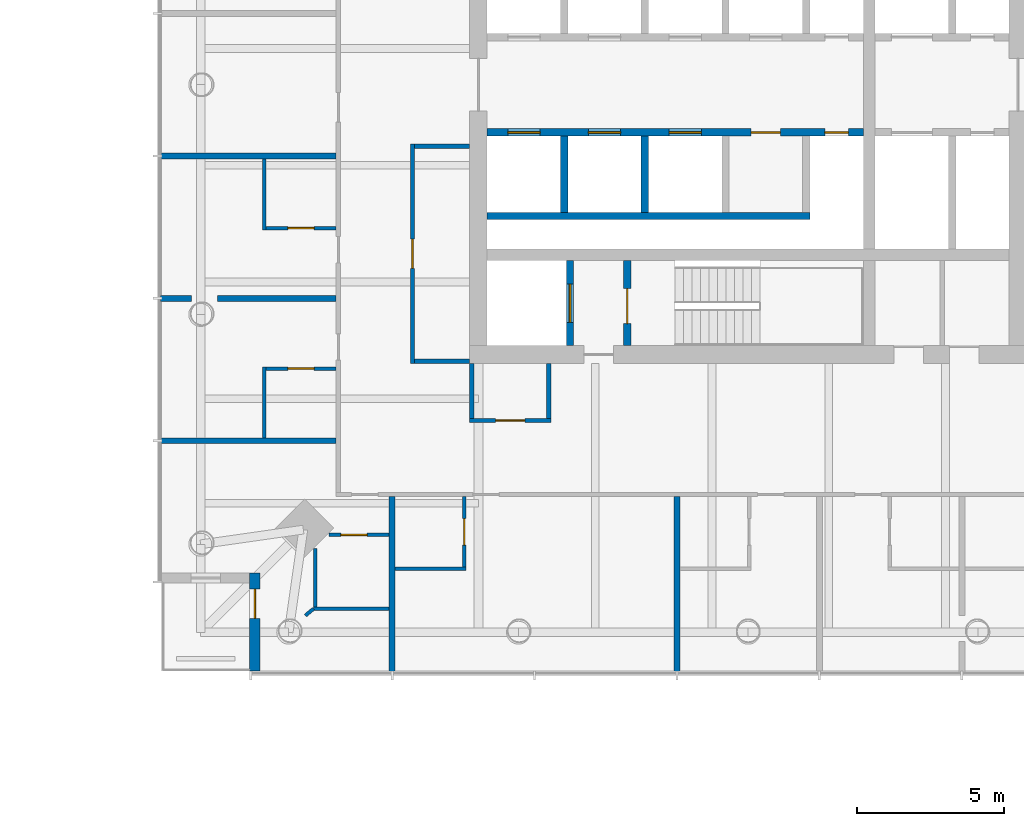
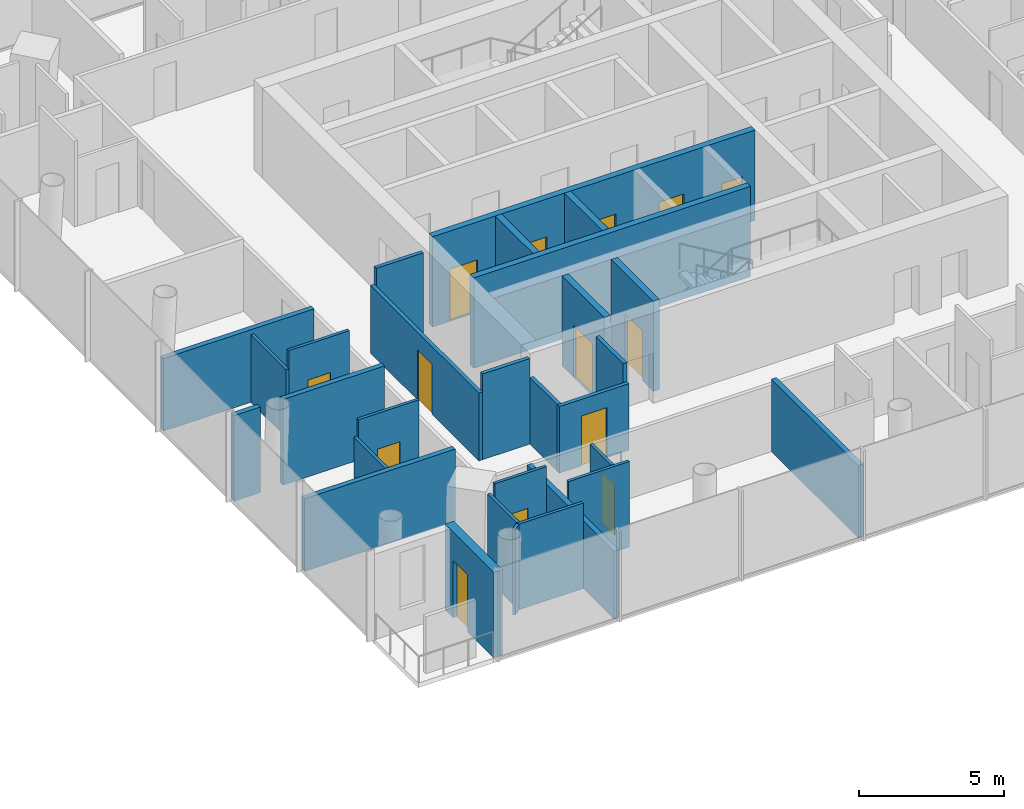
# One storey, part 13 of 20: 29 walls, 14 doors, 14 openings.
"""IFC4 building model written with IfcOpenShell, lengths in metres."""

from ifc_helpers import new_model, si_unit, direction, frame, frame_2d, origin, place, context, subcontext, project, spatial, rectangle, extrude, material, layer, layer_set, type_object, element, fill, save


model = new_model("IFC4")

# Units and contexts
model_context = context("Model", 3, precision=1e-05, world=origin(), true_north=direction((0.0, 1.0)))
body_context = subcontext(model_context, "Body", "Model", "MODEL_VIEW")
ifc_project = project(units=[si_unit("LENGTHUNIT", "METRE"), si_unit("AREAUNIT", "SQUARE_METRE"), si_unit("VOLUMEUNIT", "CUBIC_METRE"), si_unit("PLANEANGLEUNIT", "RADIAN"), si_unit("MASSUNIT", "GRAM", prefix="KILO")], contexts=[model_context])

# Site, building, storey
site_placement = place(None, origin())
site = spatial("IfcSite", under=ifc_project, at=site_placement, CompositionType="ELEMENT")
building_placement = place(site_placement, origin())
building = spatial("IfcBuilding", under=site, at=building_placement, Name="Ostroluk Exchange", CompositionType="ELEMENT")
storey_placement = place(building_placement, frame((0.0, 0.0, 28.60009765625)))
storey = spatial("IfcBuildingStorey", under=building, at=storey_placement, Name="L06", CompositionType="ELEMENT", Elevation=28.60009765625)

# Wall, opening, door
ifc_material_1 = material(Name="Concrete C40/50", Category="concrete")
ifc_layer_1 = layer(ifc_material_1, 0.25)
ifc_layer_set_1 = layer_set([ifc_layer_1], Name="Core shaft wall 250")
wall_type_1 = type_object("IfcWallType", Name="Core shaft wall 250", PredefinedType="SHEAR", material=ifc_layer_set_1)
wall_1_placement = place(storey_placement, frame((110.925048828125, 37.10009765625, 0.0), z_axis=(0.0, 0.0, 1.0), x_axis=(0.0, 1.0, 0.0)))
wall_1 = element("IfcWall", 1, at=wall_1_placement, inside=storey, type_object=wall_type_1, Name="Firefighting lift shaft wall", PredefinedType="SHEAR", context=body_context, shape_type="SweptSolid", body=[
    extrude(rectangle(XDim=2.89990234375, YDim=0.25, at=frame_2d((1.449951171875, 0.0))), origin(), (0.0, 0.0, 1.0), 3.7998046875),
])
opening_1_placement = place(wall_1_placement, frame((0.800048828125, 0.0, 0.0)))
opening_1 = element("IfcOpeningElement", 2, at=opening_1_placement, cuts=wall_1, Name="Opening LD2", PredefinedType="OPENING", context=body_context, shape_type="SweptSolid", body=[
    extrude(rectangle(XDim=1.300048828125, YDim=2.199951171875, at=frame_2d((0.64990234375, 1.10009765625))), frame((0.0, 0.135009765625, 0.0), z_axis=(0.0, -1.0, 0.0), x_axis=(1.0, 0.0, 0.0)), (0.0, 0.0, 1.0), 0.27001953125),
])
ifc_material_2 = material(Name="Stainless steel", Category="steel")
door_type_1 = type_object("IfcDoorType", Name="Lift landing door E 60 1300 x 2200", OperationType="DOUBLE_DOOR_SLIDING", PredefinedType="DOOR", material=ifc_material_2)
door_1_placement = place(opening_1_placement, origin())
door_1 = element("IfcDoor", 3, at=door_1_placement, inside=storey, type_object=door_type_1, Name="Lift HF1 landing door", OperationType="DOUBLE_DOOR_SLIDING", OverallHeight=2.199951171875, OverallWidth=1.300048828125, PredefinedType="DOOR", context=body_context, shape_type="SweptSolid", body=[
    extrude(rectangle(XDim=1.300048828125, YDim=2.199951171875, at=frame_2d((0.64990234375, 1.10009765625))), frame((0.0, 0.02490234375, 0.0), z_axis=(0.0, -1.0, 0.0), x_axis=(1.0, 0.0, 0.0)), (0.0, 0.0, 1.0), 0.050048828125),
])
fill(opening_1, door_1)

wall_2_placement = place(storey_placement, frame((112.875, 37.10009765625, 0.0), z_axis=(0.0, 0.0, 1.0), x_axis=(0.0, 1.0, 0.0)))
wall_2 = element("IfcWall", 4, at=wall_2_placement, inside=storey, type_object=wall_type_1, Name="Stair shaft wall", PredefinedType="SHEAR", context=body_context, shape_type="SweptSolid", body=[
    extrude(rectangle(XDim=2.89990234375, YDim=0.25, at=frame_2d((1.449951171875, 0.0))), origin(), (0.0, 0.0, 1.0), 3.7998046875),
])
opening_2_placement = place(wall_2_placement, frame((0.75, 0.0, 0.0)))
opening_2 = element("IfcOpeningElement", 5, at=opening_2_placement, cuts=wall_2, Name="Opening FD60S", PredefinedType="OPENING", context=body_context, shape_type="SweptSolid", body=[
    extrude(rectangle(XDim=1.199951171875, YDim=2.10009765625, at=frame_2d((0.60009765625, 1.050048828125))), frame((0.0, 0.135009765625, 0.0), z_axis=(0.0, -1.0, 0.0), x_axis=(1.0, 0.0, 0.0)), (0.0, 0.0, 1.0), 0.27001953125),
])
ifc_material_3 = material(Name="Steel", Category="steel")
door_type_2 = type_object("IfcDoorType", Name="Stair door EI 60 1200 x 2100", OperationType="SINGLE_SWING_LEFT", PredefinedType="DOOR", material=ifc_material_3)
door_2_placement = place(opening_2_placement, origin())
door_2 = element("IfcDoor", 6, at=door_2_placement, inside=storey, type_object=door_type_2, Name="Stair T2-S1 door", OperationType="SINGLE_SWING_LEFT", OverallHeight=2.10009765625, OverallWidth=1.199951171875, PredefinedType="DOOR", context=body_context, shape_type="SweptSolid", body=[
    extrude(rectangle(XDim=1.199951171875, YDim=2.10009765625, at=frame_2d((0.60009765625, 1.050048828125))), frame((0.0, 0.02490234375, 0.0), z_axis=(0.0, -1.0, 0.0), x_axis=(1.0, 0.0, 0.0)), (0.0, 0.0, 1.0), 0.050048828125),
])
fill(opening_2, door_2)

# Walls
for number, where, z_axis, x_axis, name in (
    (7, (110.72509765625, 44.25, 0.0), (0.0, 0.0, 1.0), (0.0, -1.0, 0.0), "Lift shaft wall"),
    (8, (113.47509765625, 44.25, 0.0), (0.0, 0.0, 1.0), (0.0, -1.0, 0.0), "Lift shaft wall"),
):
    element("IfcWall", number, at=place(storey_placement, frame(where, z_axis=z_axis, x_axis=x_axis)), inside=storey, type_object=wall_type_1, Name=name, PredefinedType="SHEAR", context=body_context, shape_type="SweptSolid", body=[
        extrude(rectangle(XDim=2.60009765625, YDim=0.25, at=frame_2d((1.300048828125, 0.0))), origin(), (0.0, 0.0, 1.0), 3.7998046875),
    ])
wall_3_placement = place(storey_placement, frame((108.10009765625, 41.52490234375, 0.0), z_axis=(0.0, 0.0, 1.0), x_axis=(1.0, 0.0, 0.0)))
element("IfcWall", 9, at=wall_3_placement, inside=storey, type_object=wall_type_1, Name="Lift shaft wall", PredefinedType="SHEAR", context=body_context, shape_type="SweptSolid", body=[
    extrude(rectangle(XDim=11.0, YDim=0.25, at=frame_2d((5.5, 0.0))), origin(), (0.0, 0.0, 1.0), 3.7998046875),
])

# Wall, openings, doors
wall_4_placement = place(storey_placement, frame((108.10009765625, 44.375, 0.0), z_axis=(0.0, 0.0, 1.0), x_axis=(1.0, 0.0, 0.0)))
wall_4 = element("IfcWall", 10, at=wall_4_placement, inside=storey, type_object=wall_type_1, Name="Lift shaft front wall", PredefinedType="SHEAR", context=body_context, shape_type="SweptSolid", body=[
    extrude(rectangle(XDim=12.829833984375, YDim=0.25, at=frame_2d((6.4150390625, 0.0))), origin(), (0.0, 0.0, 1.0), 3.7998046875),
])
opening_3_placement = place(wall_4_placement, frame((0.699951171875, 0.0, 0.0)))
opening_3 = element("IfcOpeningElement", 11, at=opening_3_placement, cuts=wall_4, Name="Opening LD", PredefinedType="OPENING", context=body_context, shape_type="SweptSolid", body=[
    extrude(rectangle(XDim=1.10009765625, YDim=2.199951171875, at=frame_2d((0.550048828125, 1.10009765625))), frame((0.0, 0.135009765625, 0.0), z_axis=(0.0, -1.0, 0.0), x_axis=(1.0, 0.0, 0.0)), (0.0, 0.0, 1.0), 0.27001953125),
])
opening_4_placement = place(wall_4_placement, frame((3.449951171875, 0.0, 0.0)))
opening_4 = element("IfcOpeningElement", 12, at=opening_4_placement, cuts=wall_4, Name="Opening LD", PredefinedType="OPENING", context=body_context, shape_type="SweptSolid", body=[
    extrude(rectangle(XDim=1.10009765625, YDim=2.199951171875, at=frame_2d((0.550048828125, 1.10009765625))), frame((0.0, 0.135009765625, 0.0), z_axis=(0.0, -1.0, 0.0), x_axis=(1.0, 0.0, 0.0)), (0.0, 0.0, 1.0), 0.27001953125),
])
opening_5_placement = place(wall_4_placement, frame((6.199951171875, 0.0, 0.0)))
opening_5 = element("IfcOpeningElement", 13, at=opening_5_placement, cuts=wall_4, Name="Opening LD", PredefinedType="OPENING", context=body_context, shape_type="SweptSolid", body=[
    extrude(rectangle(XDim=1.10009765625, YDim=2.199951171875, at=frame_2d((0.550048828125, 1.10009765625))), frame((0.0, 0.135009765625, 0.0), z_axis=(0.0, -1.0, 0.0), x_axis=(1.0, 0.0, 0.0)), (0.0, 0.0, 1.0), 0.27001953125),
])
opening_6_placement = place(wall_4_placement, frame((9.0, 0.0, 0.0)))
opening_6 = element("IfcOpeningElement", 14, at=opening_6_placement, cuts=wall_4, Name="Opening FD60", PredefinedType="OPENING", context=body_context, shape_type="SweptSolid", body=[
    extrude(rectangle(XDim=1.0, YDim=2.10009765625, at=frame_2d((0.5, 1.050048828125))), frame((0.0, 0.135009765625, 0.0), z_axis=(0.0, -1.0, 0.0), x_axis=(1.0, 0.0, 0.0)), (0.0, 0.0, 1.0), 0.27001953125),
])
opening_7_placement = place(wall_4_placement, frame((11.514892578125, 0.0, 0.0)))
opening_7 = element("IfcOpeningElement", 15, at=opening_7_placement, cuts=wall_4, Name="Opening RD60", PredefinedType="OPENING", context=body_context, shape_type="SweptSolid", body=[
    extrude(rectangle(XDim=0.800048828125, YDim=2.0, at=frame_2d((0.39990234375, 1.0))), frame((0.0, 0.135009765625, 0.0), z_axis=(0.0, -1.0, 0.0), x_axis=(1.0, 0.0, 0.0)), (0.0, 0.0, 1.0), 0.27001953125),
])
ifc_material_4 = material(Name="Steel", Category="steel")
door_type_3 = type_object("IfcDoorType", Name="Fire door EI 60 1000 x 2100", OperationType="SINGLE_SWING_LEFT", PredefinedType="DOOR", material=ifc_material_4)
door_3_placement = place(opening_6_placement, origin())
door_3 = element("IfcDoor", 16, at=door_3_placement, inside=storey, type_object=door_type_3, Name="Core room door", OperationType="SINGLE_SWING_RIGHT", OverallHeight=2.10009765625, OverallWidth=1.0, PredefinedType="DOOR", context=body_context, shape_type="SweptSolid", body=[
    extrude(rectangle(XDim=1.0, YDim=2.10009765625, at=frame_2d((0.5, 1.050048828125))), frame((0.0, 0.02490234375, 0.0), z_axis=(0.0, -1.0, 0.0), x_axis=(1.0, 0.0, 0.0)), (0.0, 0.0, 1.0), 0.050048828125),
])
fill(opening_6, door_3)
ifc_material_5 = material(Name="Stainless steel", Category="steel")
door_type_4 = type_object("IfcDoorType", Name="Lift landing door E 60 1100 x 2200", OperationType="DOUBLE_DOOR_SLIDING", PredefinedType="DOOR", material=ifc_material_5)
door_4_placement = place(opening_3_placement, origin())
door_4 = element("IfcDoor", 17, at=door_4_placement, inside=storey, type_object=door_type_4, Name="Lift HL5 landing door", OperationType="DOUBLE_DOOR_SLIDING", OverallHeight=2.199951171875, OverallWidth=1.10009765625, PredefinedType="DOOR", context=body_context, shape_type="SweptSolid", body=[
    extrude(rectangle(XDim=1.10009765625, YDim=2.199951171875, at=frame_2d((0.550048828125, 1.10009765625))), frame((0.0, 0.02490234375, 0.0), z_axis=(0.0, -1.0, 0.0), x_axis=(1.0, 0.0, 0.0)), (0.0, 0.0, 1.0), 0.050048828125),
])
fill(opening_3, door_4)
door_5_placement = place(opening_4_placement, origin())
door_5 = element("IfcDoor", 18, at=door_5_placement, inside=storey, type_object=door_type_4, Name="Lift HL6 landing door", OperationType="DOUBLE_DOOR_SLIDING", OverallHeight=2.199951171875, OverallWidth=1.10009765625, PredefinedType="DOOR", context=body_context, shape_type="SweptSolid", body=[
    extrude(rectangle(XDim=1.10009765625, YDim=2.199951171875, at=frame_2d((0.550048828125, 1.10009765625))), frame((0.0, 0.02490234375, 0.0), z_axis=(0.0, -1.0, 0.0), x_axis=(1.0, 0.0, 0.0)), (0.0, 0.0, 1.0), 0.050048828125),
])
fill(opening_4, door_5)
door_6_placement = place(opening_5_placement, origin())
door_6 = element("IfcDoor", 19, at=door_6_placement, inside=storey, type_object=door_type_4, Name="Lift HL7 landing door", OperationType="DOUBLE_DOOR_SLIDING", OverallHeight=2.199951171875, OverallWidth=1.10009765625, PredefinedType="DOOR", context=body_context, shape_type="SweptSolid", body=[
    extrude(rectangle(XDim=1.10009765625, YDim=2.199951171875, at=frame_2d((0.550048828125, 1.10009765625))), frame((0.0, 0.02490234375, 0.0), z_axis=(0.0, -1.0, 0.0), x_axis=(1.0, 0.0, 0.0)), (0.0, 0.0, 1.0), 0.050048828125),
])
fill(opening_5, door_6)
ifc_material_6 = material(Name="Steel", Category="steel")
door_type_5 = type_object("IfcDoorType", Name="Riser access door EI 60 800 x 2000", OperationType="SINGLE_SWING_LEFT", PredefinedType="DOOR", material=ifc_material_6)
door_7_placement = place(opening_7_placement, origin())
door_7 = element("IfcDoor", 20, at=door_7_placement, inside=storey, type_object=door_type_5, Name="Riser access door", OperationType="SINGLE_SWING_RIGHT", OverallHeight=2.0, OverallWidth=0.800048828125, PredefinedType="DOOR", context=body_context, shape_type="SweptSolid", body=[
    extrude(rectangle(XDim=0.800048828125, YDim=2.0, at=frame_2d((0.39990234375, 1.0))), frame((0.0, 0.02490234375, 0.0), z_axis=(0.0, -1.0, 0.0), x_axis=(1.0, 0.0, 0.0)), (0.0, 0.0, 1.0), 0.050048828125),
])
fill(opening_7, door_7)

# Wall, opening, door
ifc_material_7 = material(Name="Limestone", Category="masonry")
ifc_layer_2 = layer(ifc_material_7, 0.35009765625)
ifc_layer_set_2 = layer_set([ifc_layer_2], Name="Limestone facade wall 350")
wall_type_2 = type_object("IfcWallType", Name="Limestone facade wall 350", PredefinedType="SOLIDWALL", material=ifc_layer_set_2)
wall_5_placement = place(storey_placement, frame((100.175048828125, 26.0, 0.0), z_axis=(0.0, 0.0, 1.0), x_axis=(0.0, 1.0, 0.0)))
wall_5 = element("IfcWall", 21, at=wall_5_placement, inside=storey, type_object=wall_type_2, Name="Hotel tower SW corner wall L06 a", PredefinedType="SOLIDWALL", context=body_context, shape_type="SweptSolid", body=[
    extrude(rectangle(XDim=3.35009765625, YDim=0.35009765625, at=frame_2d((1.675048828125, 0.0))), origin(), (0.0, 0.0, 1.0), 3.599853515625),
])
opening_8_placement = place(wall_5_placement, frame((1.800048828125, 0.0, 0.0)))
opening_8 = element("IfcOpeningElement", 22, at=opening_8_placement, cuts=wall_5, Name="Opening D-B1", PredefinedType="OPENING", context=body_context, shape_type="SweptSolid", body=[
    extrude(rectangle(XDim=1.0, YDim=2.39990234375, at=frame_2d((0.5, 1.199951171875))), frame((0.0, 0.18505859375, 0.0), z_axis=(0.0, -1.0, 0.0), x_axis=(1.0, 0.0, 0.0)), (0.0, 0.0, 1.0), 0.3701171875),
])
ifc_material_8 = material(Name="Bronze framed glazed door", Category="aluminium")
door_type_6 = type_object("IfcDoorType", Name="Balcony door 1000 x 2400", OperationType="SINGLE_SWING_LEFT", PredefinedType="DOOR", material=ifc_material_8)
door_8_placement = place(opening_8_placement, origin())
door_8 = element("IfcDoor", 23, at=door_8_placement, inside=storey, type_object=door_type_6, Name="Hotel tower SW balcony door L06", OperationType="SINGLE_SWING_RIGHT", OverallHeight=2.39990234375, OverallWidth=1.0, PredefinedType="DOOR", context=body_context, shape_type="SweptSolid", body=[
    extrude(rectangle(XDim=1.0, YDim=2.39990234375, at=frame_2d((0.5, 1.199951171875))), frame((0.0, 0.02490234375, 0.0), z_axis=(0.0, -1.0, 0.0), x_axis=(1.0, 0.0, 0.0)), (0.0, 0.0, 1.0), 0.050048828125),
])
fill(opening_8, door_8)

# Wall
ifc_material_9 = material(Name="Gypsum plasterboard partition, moisture resistant", Category="gypsum")
ifc_layer_3 = layer(ifc_material_9, 0.1201171875)
ifc_layer_set_3 = layer_set([ifc_layer_3], Name="Plasterboard en-suite wall 120")
wall_type_3 = type_object("IfcWallType", Name="Plasterboard en-suite wall 120", PredefinedType="PARTITIONING", material=ifc_layer_set_3)
wall_6_placement = place(storey_placement, frame((100.489990234375, 43.471435546875, 0.0), z_axis=(0.0, 0.0, 1.0), x_axis=(0.0, -1.0, 0.0)))
element("IfcWall", 24, at=wall_6_placement, inside=storey, type_object=wall_type_3, Name="En-suite wall", PredefinedType="PARTITIONING", context=body_context, shape_type="SweptSolid", body=[
    extrude(rectangle(XDim=2.419921875, YDim=0.1201171875, at=frame_2d((1.2099609375, 0.0))), origin(), (0.0, 0.0, 1.0), 2.846923828125),
])

# Wall, opening, door
wall_7_placement = place(storey_placement, frame((102.949951171875, 41.111328125, 0.0), z_axis=(0.0, 0.0, 1.0), x_axis=(-1.0, 0.0, 0.0)))
wall_7 = element("IfcWall", 25, at=wall_7_placement, inside=storey, type_object=wall_type_3, Name="En-suite wall", PredefinedType="PARTITIONING", context=body_context, shape_type="SweptSolid", body=[
    extrude(rectangle(XDim=2.39990234375, YDim=0.1201171875, at=frame_2d((1.199951171875, 0.0))), origin(), (0.0, 0.0, 1.0), 3.599853515625),
])
opening_9_placement = place(wall_7_placement, frame((0.75, 0.0, 0.0)))
opening_9 = element("IfcOpeningElement", 26, at=opening_9_placement, cuts=wall_7, Name="Opening D-02", PredefinedType="OPENING", context=body_context, shape_type="SweptSolid", body=[
    extrude(rectangle(XDim=0.89990234375, YDim=2.10009765625, at=frame_2d((0.449951171875, 1.050048828125))), frame((0.0, 0.070068359375, 0.0), z_axis=(0.0, -1.0, 0.0), x_axis=(1.0, 0.0, 0.0)), (0.0, 0.0, 1.0), 0.14013671875),
])
ifc_material_10 = material(Name="Timber", Category="wood")
door_type_7 = type_object("IfcDoorType", Name="En-suite door 900 x 2100", OperationType="SINGLE_SWING_LEFT", PredefinedType="DOOR", material=ifc_material_10)
door_9_placement = place(opening_9_placement, origin())
door_9 = element("IfcDoor", 27, at=door_9_placement, inside=storey, type_object=door_type_7, Name="En-suite door 613", OperationType="SINGLE_SWING_LEFT", OverallHeight=2.10009765625, OverallWidth=0.89990234375, PredefinedType="DOOR", context=body_context, shape_type="SweptSolid", body=[
    extrude(rectangle(XDim=0.89990234375, YDim=2.10009765625, at=frame_2d((0.449951171875, 1.050048828125))), frame((0.0, 0.02490234375, 0.0), z_axis=(0.0, -1.0, 0.0), x_axis=(1.0, 0.0, 0.0)), (0.0, 0.0, 1.0), 0.050048828125),
])
fill(opening_9, door_9)

# Wall
wall_8_placement = place(storey_placement, frame((100.489990234375, 36.377197265625, 0.0), z_axis=(0.0, 0.0, 1.0), x_axis=(0.0, -1.0, 0.0)))
element("IfcWall", 28, at=wall_8_placement, inside=storey, type_object=wall_type_3, Name="En-suite wall", PredefinedType="PARTITIONING", context=body_context, shape_type="SweptSolid", body=[
    extrude(rectangle(XDim=2.420166015625, YDim=0.1201171875, at=frame_2d((1.2099609375, 0.0))), origin(), (0.0, 0.0, 1.0), 2.846923828125),
])

# Wall, opening, door
wall_9_placement = place(storey_placement, frame((102.949951171875, 36.317138671875, 0.0), z_axis=(0.0, 0.0, 1.0), x_axis=(-1.0, 0.0, 0.0)))
wall_9 = element("IfcWall", 29, at=wall_9_placement, inside=storey, type_object=wall_type_3, Name="En-suite wall", PredefinedType="PARTITIONING", context=body_context, shape_type="SweptSolid", body=[
    extrude(rectangle(XDim=2.39990234375, YDim=0.1201171875, at=frame_2d((1.199951171875, 0.0))), origin(), (0.0, 0.0, 1.0), 3.599853515625),
])
opening_10_placement = place(wall_9_placement, frame((0.75, 0.0, 0.0)))
opening_10 = element("IfcOpeningElement", 30, at=opening_10_placement, cuts=wall_9, Name="Opening D-02", PredefinedType="OPENING", context=body_context, shape_type="SweptSolid", body=[
    extrude(rectangle(XDim=0.89990234375, YDim=2.10009765625, at=frame_2d((0.449951171875, 1.050048828125))), frame((0.0, 0.070068359375, 0.0), z_axis=(0.0, -1.0, 0.0), x_axis=(1.0, 0.0, 0.0)), (0.0, 0.0, 1.0), 0.14013671875),
])
door_10_placement = place(opening_10_placement, origin())
door_10 = element("IfcDoor", 31, at=door_10_placement, inside=storey, type_object=door_type_7, Name="En-suite door 614", OperationType="SINGLE_SWING_LEFT", OverallHeight=2.10009765625, OverallWidth=0.89990234375, PredefinedType="DOOR", context=body_context, shape_type="SweptSolid", body=[
    extrude(rectangle(XDim=0.89990234375, YDim=2.10009765625, at=frame_2d((0.449951171875, 1.050048828125))), frame((0.0, 0.02490234375, 0.0), z_axis=(0.0, -1.0, 0.0), x_axis=(1.0, 0.0, 0.0)), (0.0, 0.0, 1.0), 0.050048828125),
])
fill(opening_10, door_10)

wall_10_placement = place(storey_placement, frame((104.757080078125, 30.64990234375, 0.0), z_axis=(0.0, 0.0, 1.0), x_axis=(-1.0, 0.0, 0.0)))
wall_10 = element("IfcWall", 32, at=wall_10_placement, inside=storey, type_object=wall_type_3, Name="En-suite wall", PredefinedType="PARTITIONING", context=body_context, shape_type="SweptSolid", body=[
    extrude(rectangle(XDim=2.05712890625, YDim=0.1201171875, at=frame_2d((1.028564453125, 0.0))), origin(), (0.0, 0.0, 1.0), 3.599853515625),
])
opening_11_placement = place(wall_10_placement, frame((0.75, 0.0, 0.0)))
opening_11 = element("IfcOpeningElement", 33, at=opening_11_placement, cuts=wall_10, Name="Opening D-02", PredefinedType="OPENING", context=body_context, shape_type="SweptSolid", body=[
    extrude(rectangle(XDim=0.89990234375, YDim=2.10009765625, at=frame_2d((0.449951171875, 1.050048828125))), frame((0.0, 0.070068359375, 0.0), z_axis=(0.0, -1.0, 0.0), x_axis=(1.0, 0.0, 0.0)), (0.0, 0.0, 1.0), 0.14013671875),
])
door_11_placement = place(opening_11_placement, origin())
door_11 = element("IfcDoor", 34, at=door_11_placement, inside=storey, type_object=door_type_7, Name="En-suite door 615", OperationType="SINGLE_SWING_RIGHT", OverallHeight=2.10009765625, OverallWidth=0.89990234375, PredefinedType="DOOR", context=body_context, shape_type="SweptSolid", body=[
    extrude(rectangle(XDim=0.89990234375, YDim=2.10009765625, at=frame_2d((0.449951171875, 1.050048828125))), frame((0.0, 0.02490234375, 0.0), z_axis=(0.0, -1.0, 0.0), x_axis=(1.0, 0.0, 0.0)), (0.0, 0.0, 1.0), 0.050048828125),
])
fill(opening_11, door_11)

# Walls
wall_11_placement = place(storey_placement, frame((104.757080078125, 28.1298828125, 0.0), z_axis=(0.0, 0.0, 1.0), x_axis=(-1.0, 0.0, 0.0)))
element("IfcWall", 35, at=wall_11_placement, inside=storey, type_object=wall_type_3, Name="En-suite wall", PredefinedType="PARTITIONING", context=body_context, shape_type="SweptSolid", body=[
    extrude(rectangle(XDim=2.579833984375, YDim=0.1201171875, at=frame_2d((1.2900390625, 0.0))), origin(), (0.0, 0.0, 1.0), 3.599853515625),
])
wall_12_placement = place(storey_placement, frame((102.237060546875, 30.187255859375, 0.0), z_axis=(0.0, 0.0, 1.0), x_axis=(0.0, -1.0, 0.0)))
element("IfcWall", 36, at=wall_12_placement, inside=storey, type_object=wall_type_3, Name="En-suite wall", PredefinedType="PARTITIONING", context=body_context, shape_type="SweptSolid", body=[
    extrude(rectangle(XDim=1.997314453125, YDim=0.1201171875, at=frame_2d((0.99853515625, 0.0))), origin(), (0.0, 0.0, 1.0), 3.599853515625),
])
wall_13_placement = place(storey_placement, frame((104.95703125, 29.489990234375, 0.0), z_axis=(0.0, 0.0, 1.0), x_axis=(1.0, 0.0, 0.0)))
element("IfcWall", 37, at=wall_13_placement, inside=storey, type_object=wall_type_3, Name="En-suite wall", PredefinedType="PARTITIONING", context=body_context, shape_type="SweptSolid", body=[
    extrude(rectangle(XDim=2.420166015625, YDim=0.1201171875, at=frame_2d((1.2099609375, 0.0))), origin(), (0.0, 0.0, 1.0), 3.599853515625),
])

# Wall, opening, door
wall_14_placement = place(storey_placement, frame((107.317138671875, 31.949951171875, 0.0), z_axis=(0.0, 0.0, 1.0), x_axis=(0.0, -1.0, 0.0)))
wall_14 = element("IfcWall", 38, at=wall_14_placement, inside=storey, type_object=wall_type_3, Name="En-suite wall", PredefinedType="PARTITIONING", context=body_context, shape_type="SweptSolid", body=[
    extrude(rectangle(XDim=2.39990234375, YDim=0.1201171875, at=frame_2d((1.199951171875, 0.0))), origin(), (0.0, 0.0, 1.0), 2.846923828125),
])
opening_12_placement = place(wall_14_placement, frame((0.75, 0.0, 0.0)))
opening_12 = element("IfcOpeningElement", 39, at=opening_12_placement, cuts=wall_14, Name="Opening D-02", PredefinedType="OPENING", context=body_context, shape_type="SweptSolid", body=[
    extrude(rectangle(XDim=0.89990234375, YDim=2.10009765625, at=frame_2d((0.449951171875, 1.050048828125))), frame((0.0, 0.070068359375, 0.0), z_axis=(0.0, -1.0, 0.0), x_axis=(1.0, 0.0, 0.0)), (0.0, 0.0, 1.0), 0.14013671875),
])
door_12_placement = place(opening_12_placement, origin())
door_12 = element("IfcDoor", 40, at=door_12_placement, inside=storey, type_object=door_type_7, Name="En-suite door 616", OperationType="SINGLE_SWING_RIGHT", OverallHeight=2.10009765625, OverallWidth=0.89990234375, PredefinedType="DOOR", context=body_context, shape_type="SweptSolid", body=[
    extrude(rectangle(XDim=0.89990234375, YDim=2.10009765625, at=frame_2d((0.449951171875, 1.050048828125))), frame((0.0, 0.02490234375, 0.0), z_axis=(0.0, -1.0, 0.0), x_axis=(1.0, 0.0, 0.0)), (0.0, 0.0, 1.0), 0.050048828125),
])
fill(opening_12, door_12)

# Wall
wall_15_placement = place(storey_placement, frame((102.17724609375, 28.1298828125, 0.0), z_axis=(0.0, 0.0, 1.0), x_axis=(-0.76932257457, -0.638860529582, 0.0)))
element("IfcWall", 41, at=wall_15_placement, inside=storey, type_object=wall_type_3, Name="En-suite wall", PredefinedType="PARTITIONING", context=body_context, shape_type="SweptSolid", body=[
    extrude(rectangle(XDim=0.363037109375, YDim=0.1201171875, at=frame_2d((0.181640625, 0.0))), origin(), (0.0, 0.0, 1.0), 3.599853515625),
])

# Wall, opening, door
ifc_material_11 = material(Name="Gypsum plasterboard partition", Category="gypsum")
ifc_layer_4 = layer(ifc_material_11, 0.14990234375)
ifc_layer_set_4 = layer_set([ifc_layer_4], Name="Plasterboard partition 150")
wall_type_4 = type_object("IfcWallType", Name="Plasterboard partition 150", PredefinedType="PARTITIONING", material=ifc_layer_set_4)
wall_16_placement = place(storey_placement, frame((105.550048828125, 43.97509765625, 0.0), z_axis=(0.0, 0.0, 1.0), x_axis=(0.0, -1.0, 0.0)))
wall_16 = element("IfcWall", 42, at=wall_16_placement, inside=storey, type_object=wall_type_4, Name="Partition", PredefinedType="PARTITIONING", context=body_context, shape_type="SweptSolid", body=[
    extrude(rectangle(XDim=7.47509765625, YDim=0.14990234375, at=frame_2d((3.737548828125, 0.0))), origin(), (0.0, 0.0, 1.0), 2.846923828125),
])
opening_13_placement = place(wall_16_placement, frame((3.237548828125, 0.0, 0.0)))
opening_13 = element("IfcOpeningElement", 43, at=opening_13_placement, cuts=wall_16, Name="Opening D-03", PredefinedType="OPENING", context=body_context, shape_type="SweptSolid", body=[
    extrude(rectangle(XDim=1.0, YDim=2.10009765625, at=frame_2d((0.5, 1.050048828125))), frame((0.0, 0.0849609375, 0.0), z_axis=(0.0, -1.0, 0.0), x_axis=(1.0, 0.0, 0.0)), (0.0, 0.0, 1.0), 0.169921875),
])
ifc_material_12 = material(Name="Timber", Category="wood")
door_type_8 = type_object("IfcDoorType", Name="Internal door 1000 x 2100", OperationType="SINGLE_SWING_LEFT", PredefinedType="DOOR", material=ifc_material_12)
door_13_placement = place(opening_13_placement, origin())
door_13 = element("IfcDoor", 44, at=door_13_placement, inside=storey, type_object=door_type_8, Name="Linen store door", OperationType="SINGLE_SWING_LEFT", OverallHeight=2.10009765625, OverallWidth=1.0, PredefinedType="DOOR", context=body_context, shape_type="SweptSolid", body=[
    extrude(rectangle(XDim=1.0, YDim=2.10009765625, at=frame_2d((0.5, 1.050048828125))), frame((0.0, 0.02490234375, 0.0), z_axis=(0.0, -1.0, 0.0), x_axis=(1.0, 0.0, 0.0)), (0.0, 0.0, 1.0), 0.050048828125),
])
fill(opening_13, door_13)

# Walls
for number, where, z_axis, x_axis, name in (
    (45, (107.5, 43.89990234375, 0.0), (0.0, 0.0, 1.0), (-1.0, 0.0, 0.0), "Partition"),
    (46, (107.5, 36.574951171875, 0.0), (0.0, 0.0, 1.0), (-1.0, 0.0, 0.0), "Partition"),
):
    element("IfcWall", number, at=place(storey_placement, frame(where, z_axis=z_axis, x_axis=x_axis)), inside=storey, type_object=wall_type_4, Name=name, PredefinedType="PARTITIONING", context=body_context, shape_type="SweptSolid", body=[
        extrude(rectangle(XDim=1.875, YDim=0.14990234375, at=frame_2d((0.9375, 0.0))), origin(), (0.0, 0.0, 1.0), 3.599853515625),
    ])

# Wall, opening, door
wall_17_placement = place(storey_placement, frame((107.5, 34.550048828125, 0.0), z_axis=(0.0, 0.0, 1.0), x_axis=(1.0, 0.0, 0.0)))
wall_17 = element("IfcWall", 47, at=wall_17_placement, inside=storey, type_object=wall_type_4, Name="Partition", PredefinedType="PARTITIONING", context=body_context, shape_type="SweptSolid", body=[
    extrude(rectangle(XDim=2.77490234375, YDim=0.14990234375, at=frame_2d((1.387451171875, 0.0))), origin(), (0.0, 0.0, 1.0), 2.7998046875),
])
opening_14_placement = place(wall_17_placement, frame((0.887451171875, 0.0, 0.0)))
opening_14 = element("IfcOpeningElement", 48, at=opening_14_placement, cuts=wall_17, Name="Opening D-03", PredefinedType="OPENING", context=body_context, shape_type="SweptSolid", body=[
    extrude(rectangle(XDim=1.0, YDim=2.10009765625, at=frame_2d((0.5, 1.050048828125))), frame((0.0, 0.0849609375, 0.0), z_axis=(0.0, -1.0, 0.0), x_axis=(1.0, 0.0, 0.0)), (0.0, 0.0, 1.0), 0.169921875),
])
door_14_placement = place(opening_14_placement, origin())
door_14 = element("IfcDoor", 49, at=door_14_placement, inside=storey, type_object=door_type_8, Name="Linen store door", OperationType="SINGLE_SWING_LEFT", OverallHeight=2.10009765625, OverallWidth=1.0, PredefinedType="DOOR", context=body_context, shape_type="SweptSolid", body=[
    extrude(rectangle(XDim=1.0, YDim=2.10009765625, at=frame_2d((0.5, 1.050048828125))), frame((0.0, 0.02490234375, 0.0), z_axis=(0.0, -1.0, 0.0), x_axis=(1.0, 0.0, 0.0)), (0.0, 0.0, 1.0), 0.050048828125),
])
fill(opening_14, door_14)

# Walls
wall_18_placement = place(storey_placement, frame((107.574951171875, 36.5, 0.0), z_axis=(0.0, 0.0, 1.0), x_axis=(0.0, -1.0, 0.0)))
element("IfcWall", 50, at=wall_18_placement, inside=storey, type_object=wall_type_4, Name="Partition", PredefinedType="PARTITIONING", context=body_context, shape_type="SweptSolid", body=[
    extrude(rectangle(XDim=1.875, YDim=0.14990234375, at=frame_2d((0.9375, 0.0))), origin(), (0.0, 0.0, 1.0), 2.7998046875),
])
wall_19_placement = place(storey_placement, frame((110.199951171875, 36.5, 0.0), z_axis=(0.0, 0.0, 1.0), x_axis=(0.0, -1.0, 0.0)))
element("IfcWall", 51, at=wall_19_placement, inside=storey, type_object=wall_type_4, Name="Partition", PredefinedType="PARTITIONING", context=body_context, shape_type="SweptSolid", body=[
    extrude(rectangle(XDim=1.875, YDim=0.14990234375, at=frame_2d((0.9375, 0.0))), origin(), (0.0, 0.0, 1.0), 3.599853515625),
])
ifc_material_13 = material(Name="Gypsum plasterboard partition", Category="gypsum")
ifc_layer_5 = layer(ifc_material_13, 0.199951171875)
ifc_layer_set_5 = layer_set([ifc_layer_5], Name="Plasterboard party wall 200")
wall_type_5 = type_object("IfcWallType", Name="Plasterboard party wall 200", PredefinedType="PARTITIONING", material=ifc_layer_set_5)
wall_20_placement = place(storey_placement, frame((102.949951171875, 43.571533203125, 0.0), z_axis=(0.0, 0.0, 1.0), x_axis=(-1.0, 0.0, 0.0)))
element("IfcWall", 52, at=wall_20_placement, inside=storey, type_object=wall_type_5, Name="Party wall", PredefinedType="PARTITIONING", context=body_context, shape_type="SweptSolid", body=[
    extrude(rectangle(XDim=5.989990234375, YDim=0.199951171875, at=frame_2d((2.9951171875, 0.0))), origin(), (0.0, 0.0, 1.0), 3.0498046875),
])
wall_21_placement = place(storey_placement, frame((102.949951171875, 38.71435546875, 0.0), z_axis=(0.0, 0.0, 1.0), x_axis=(-1.0, 0.0, 0.0)))
element("IfcWall", 53, at=wall_21_placement, inside=storey, type_object=wall_type_5, Name="Party wall", PredefinedType="PARTITIONING", context=body_context, shape_type="SweptSolid", body=[
    extrude(rectangle(XDim=4.052001953125, YDim=0.199951171875, at=frame_2d((2.02587890625, 0.0))), origin(), (0.0, 0.0, 1.0), 3.599853515625),
])
wall_22_placement = place(storey_placement, frame((98.009033203125, 38.71435546875, 0.0), z_axis=(0.0, 0.0, 1.0), x_axis=(-1.0, 0.0, 0.0)))
element("IfcWall", 54, at=wall_22_placement, inside=storey, type_object=wall_type_5, Name="Party wall", PredefinedType="PARTITIONING", context=body_context, shape_type="SweptSolid", body=[
    extrude(rectangle(XDim=1.049072265625, YDim=0.199951171875, at=frame_2d((0.5244140625, 0.0))), origin(), (0.0, 0.0, 1.0), 3.599853515625),
])
wall_23_placement = place(storey_placement, frame((102.949951171875, 33.857177734375, 0.0), z_axis=(0.0, 0.0, 1.0), x_axis=(-1.0, 0.0, 0.0)))
element("IfcWall", 55, at=wall_23_placement, inside=storey, type_object=wall_type_5, Name="Party wall", PredefinedType="PARTITIONING", context=body_context, shape_type="SweptSolid", body=[
    extrude(rectangle(XDim=5.989990234375, YDim=0.199951171875, at=frame_2d((2.9951171875, 0.0))), origin(), (0.0, 0.0, 1.0), 3.0498046875),
])
wall_24_placement = place(storey_placement, frame((104.857177734375, 31.949951171875, 0.0), z_axis=(0.0, 0.0, 1.0), x_axis=(0.0, -1.0, 0.0)))
element("IfcWall", 56, at=wall_24_placement, inside=storey, type_object=wall_type_5, Name="Party wall", PredefinedType="PARTITIONING", context=body_context, shape_type="SweptSolid", body=[
    extrude(rectangle(XDim=5.989990234375, YDim=0.199951171875, at=frame_2d((2.9951171875, 0.0))), origin(), (0.0, 0.0, 1.0), 2.846923828125),
])
wall_25_placement = place(storey_placement, frame((114.571533203125, 31.949951171875, 0.0), z_axis=(0.0, 0.0, 1.0), x_axis=(0.0, -1.0, 0.0)))
element("IfcWall", 57, at=wall_25_placement, inside=storey, type_object=wall_type_5, Name="Party wall", PredefinedType="PARTITIONING", context=body_context, shape_type="SweptSolid", body=[
    extrude(rectangle(XDim=5.989990234375, YDim=0.199951171875, at=frame_2d((2.9951171875, 0.0))), origin(), (0.0, 0.0, 1.0), 3.0498046875),
])

save(model, "model.ifc")
